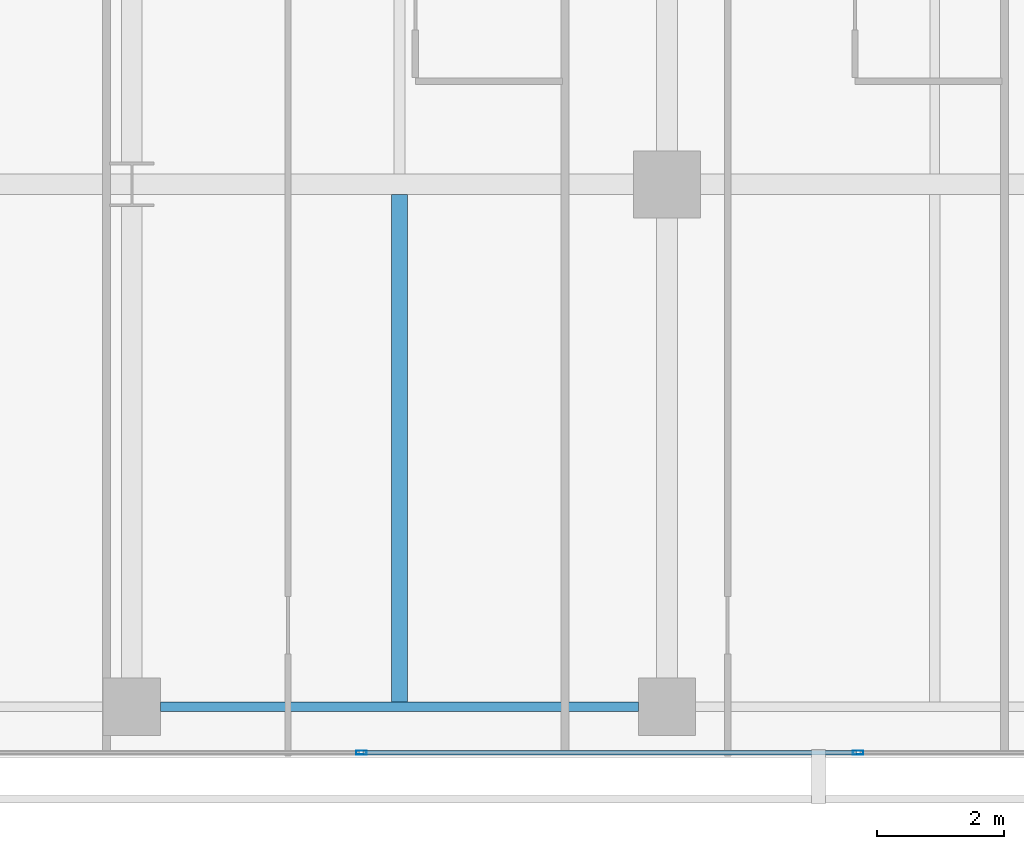
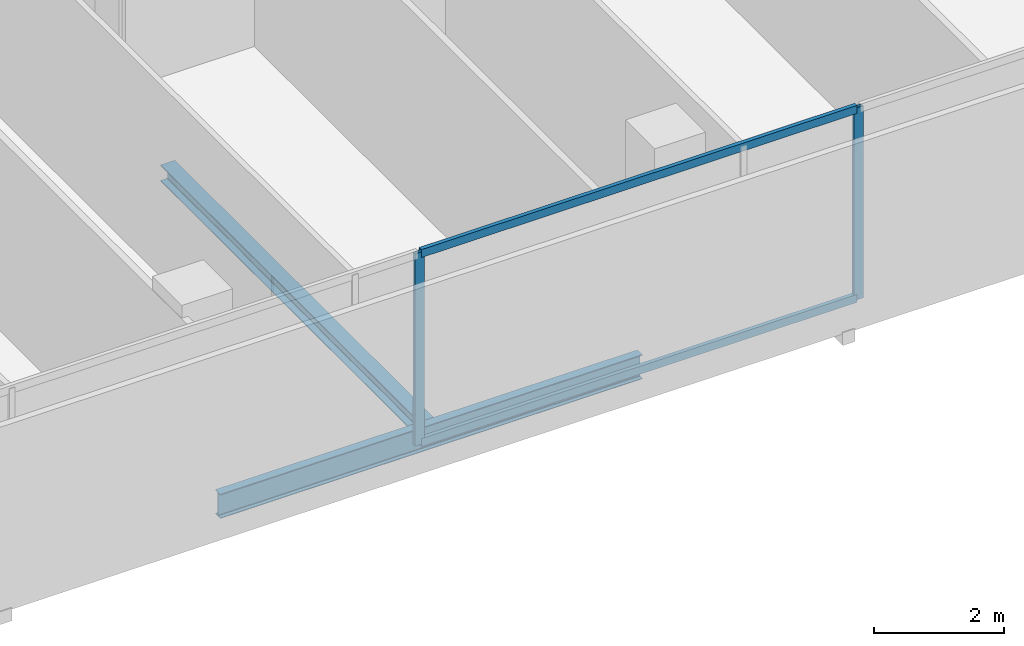
# One storey, part 14 of 40: 4 members, 2 beams, 1 element without a shape of its own.
"""IFC4 building model written with IfcOpenShell, lengths in metres."""

from ifc_helpers import new_model, si_unit, direction, frame, origin, origin_2d, place, context, subcontext, project, spatial, hollow_rectangle, i_section, extrude, material, layer, layer_set, material_profile, profile_set, type_object, element, aggregate, save


model = new_model("IFC4")

# Units and contexts
model_context = context("Model", 3, precision=1e-05, world=origin(), true_north=direction((0.0, 1.0)))
body_context = subcontext(model_context, "Body", "Model", "MODEL_VIEW")
ifc_project = project(units=[si_unit("LENGTHUNIT", "METRE"), si_unit("AREAUNIT", "SQUARE_METRE"), si_unit("VOLUMEUNIT", "CUBIC_METRE"), si_unit("PLANEANGLEUNIT", "RADIAN"), si_unit("MASSUNIT", "GRAM", prefix="KILO")], contexts=[model_context])

# Site, building, storey
site_placement = place(None, origin())
site = spatial("IfcSite", under=ifc_project, at=site_placement, CompositionType="ELEMENT")
building_placement = place(site_placement, origin())
building = spatial("IfcBuilding", under=site, at=building_placement, Name="Maruvema Waterfront Hotel and Observation Tower", CompositionType="ELEMENT")
storey_placement = place(building_placement, frame((0.0, 0.0, 80.85009765625)))
storey = spatial("IfcBuildingStorey", under=building, at=storey_placement, Name="L19", CompositionType="ELEMENT", Elevation=80.85009765625)

# Curtain wall, members
ifc_material_1 = material(Name="Anodised bronze aluminium and solar-control low-E IGU", Category="aluminium")
ifc_layer = layer(ifc_material_1, 0.159912109375, Name="Zone 1 Bronze Inner Thermal Curtain Wall System CW-02")
ifc_layer_set = layer_set([ifc_layer], Name="Anodised bronze aluminium and solar-control low-E IGU")
curtain_wall_type = type_object("IfcCurtainWallType", Name="Zone 1 Bronze Inner Thermal Curtain Wall System CW-02", PredefinedType="USERDEFINED", material=ifc_layer_set)
curtain_wall_placement = place(storey_placement, origin())
curtain_wall = element("IfcCurtainWall", 1, at=curtain_wall_placement, inside=storey, type_object=curtain_wall_type, Name="L19 Curtain Wall CW-L19-S", ObjectType="UNITISED CURTAIN WALL", PredefinedType="USERDEFINED")
ifc_material_2 = material(Name="Anodised architectural bronze aluminium", Category="aluminium")
ifc_material_profile_1 = material_profile(ifc_material_2, hollow_rectangle(XDim=0.070068359375, YDim=0.14990234375, WallThickness=0.00390625, at=origin_2d()), Name="ALU-T70x150")
ifc_profile_set_1 = profile_set([ifc_material_profile_1], Name="Anodised architectural bronze aluminium")
member_type_1 = type_object("IfcMemberType", Name="Curtain Wall Horizontal Transom ALU-T70x150", PredefinedType="USERDEFINED", material=ifc_profile_set_1)
member_1_placement = place(storey_placement, frame((45.6298828125, 0.080078125, 0.02978515625), z_axis=(1.0, 0.0, 0.0), x_axis=(0.0, 1.0, 0.0)))
member_1 = element("IfcMember", 2, at=member_1_placement, type_object=member_type_1, Name="CW-02 transom 5.1", ObjectType="TRANSOM", PredefinedType="USERDEFINED", context=body_context, shape_type="SweptSolid", body=[
    extrude(hollow_rectangle(XDim=0.070068359375, YDim=0.14990234375, WallThickness=0.00390625, at=origin_2d()), origin(), (0.0, 0.0, 1.0), 7.740234375),
])
member_2_placement = place(storey_placement, frame((45.6298828125, 0.080078125, 3.579833984375), z_axis=(1.0, 0.0, 0.0), x_axis=(0.0, 1.0, 0.0)))
member_2 = element("IfcMember", 3, at=member_2_placement, type_object=member_type_1, Name="CW-02 transom 5.2", ObjectType="TRANSOM", PredefinedType="USERDEFINED", context=body_context, shape_type="SweptSolid", body=[
    extrude(hollow_rectangle(XDim=0.070068359375, YDim=0.14990234375, WallThickness=0.00390625, at=origin_2d()), origin(), (0.0, 0.0, 1.0), 7.740234375),
])
ifc_material_3 = material(Name="Anodised architectural bronze aluminium", Category="aluminium")
ifc_material_profile_2 = material_profile(ifc_material_3, hollow_rectangle(XDim=0.06494140625, YDim=0.1650390625, WallThickness=0.00390625, at=origin_2d()), Name="ALU-M65x165")
ifc_profile_set_2 = profile_set([ifc_material_profile_2], Name="Anodised architectural bronze aluminium")
member_type_2 = type_object("IfcMemberType", Name="Curtain Wall Primary Mullion ALU-M65x165", PredefinedType="MULLION", material=ifc_profile_set_2)
member_3_placement = place(storey_placement, frame((45.60009765625, 0.080078125, 0.0), z_axis=(0.0, 0.0, 1.0), x_axis=(0.0, 1.0, 0.0)))
member_3 = element("IfcMember", 4, at=member_3_placement, type_object=member_type_2, Name="CW-02 mullion 5", PredefinedType="MULLION", context=body_context, shape_type="SweptSolid", body=[
    extrude(hollow_rectangle(XDim=0.06494140625, YDim=0.1650390625, WallThickness=0.00390625, at=origin_2d()), origin(), (0.0, 0.0, 1.0), 3.60986328125),
])
member_4_placement = place(storey_placement, frame((53.39990234375, 0.080078125, 0.0), z_axis=(0.0, 0.0, 1.0), x_axis=(0.0, 1.0, 0.0)))
member_4 = element("IfcMember", 5, at=member_4_placement, type_object=member_type_2, Name="CW-02 mullion 6", PredefinedType="MULLION", context=body_context, shape_type="SweptSolid", body=[
    extrude(hollow_rectangle(XDim=0.06494140625, YDim=0.1650390625, WallThickness=0.00390625, at=origin_2d()), origin(), (0.0, 0.0, 1.0), 3.60986328125),
])
aggregate(curtain_wall, [member_3, member_4, member_1, member_2])

# Beams
ifc_material_4 = material(Name="Steel ASTM A572 Grade 50", Category="steel")
ifc_material_profile_3 = material_profile(ifc_material_4, i_section(OverallWidth=0.153076171875, OverallDepth=0.455078125, WebThickness=0.008056640625, FlangeThickness=0.01318359375, FilletRadius=0.014892578125, at=origin_2d()), Name="W460x60.0")
ifc_profile_set_3 = profile_set([ifc_material_profile_3], Name="Steel ASTM A572 Grade 50")
beam_type_1 = type_object("IfcBeamType", Name="Perimeter Spandrel Beam W460x60.0", PredefinedType="SPANDREL", material=ifc_profile_set_3)
beam_1_placement = place(storey_placement, frame((42.449951171875, 0.800048828125, -0.467529296875), z_axis=(1.0, 0.0, 0.0), x_axis=(0.0, 1.0, 0.0)))
element("IfcBeam", 6, at=beam_1_placement, inside=storey, type_object=beam_type_1, Name="L19 Floor Girder EW-04", PredefinedType="SPANDREL", context=body_context, shape_type="SweptSolid", body=[
    extrude(i_section(OverallWidth=0.153076171875, OverallDepth=0.455078125, WebThickness=0.008056640625, FlangeThickness=0.01318359375, FilletRadius=0.014892578125, at=origin_2d()), origin(), (0.0, 0.0, 1.0), 7.5),
])
ifc_material_5 = material(Name="Steel ASTM A572 Grade 50", Category="steel")
ifc_material_profile_4 = material_profile(ifc_material_5, i_section(OverallWidth=0.25390625, OverallDepth=0.305908203125, WebThickness=0.0087890625, FlangeThickness=0.0146484375, FilletRadius=0.014892578125, at=origin_2d()), Name="W310x79.0")
ifc_profile_set_4 = profile_set([ifc_material_profile_4], Name="Steel ASTM A572 Grade 50")
beam_type_2 = type_object("IfcBeamType", Name="Secondary Floor Joist W310x79.0", PredefinedType="JOIST", material=ifc_profile_set_4)
beam_2_placement = place(storey_placement, frame((46.199951171875, 0.87646484375, -0.39306640625), z_axis=(0.0, 1.0, 0.0), x_axis=(-1.0, 0.0, 0.0)))
element("IfcBeam", 7, at=beam_2_placement, inside=storey, type_object=beam_type_2, Name="L19 Secondary Floor Joist JS-14", PredefinedType="JOIST", context=body_context, shape_type="SweptSolid", body=[
    extrude(i_section(OverallWidth=0.25390625, OverallDepth=0.305908203125, WebThickness=0.0087890625, FlangeThickness=0.0146484375, FilletRadius=0.014892578125, at=origin_2d()), origin(), (0.0, 0.0, 1.0), 7.96142578125),
])

save(model, "model.ifc")
